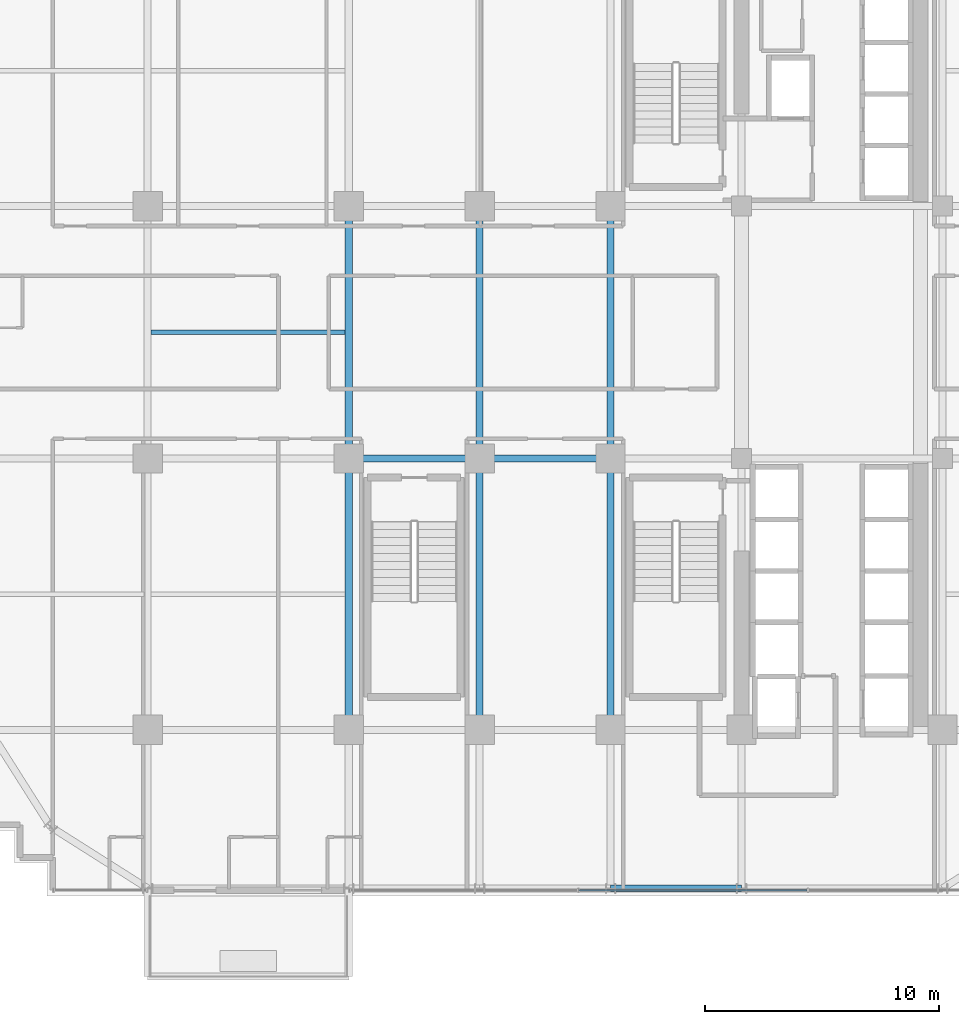
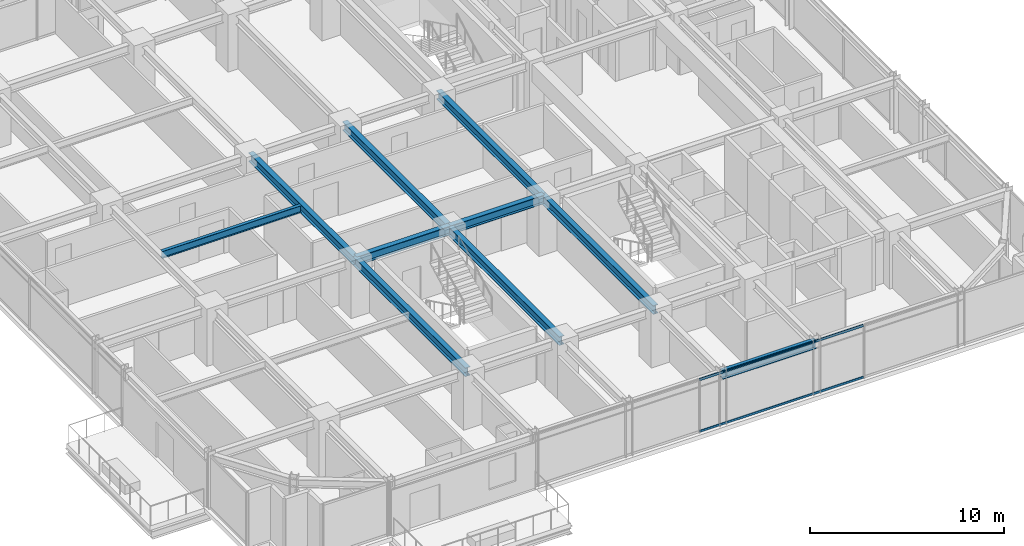
# One storey, part 10 of 32: 10 beams, 2 members, 1 element without a shape of its own.
"""IFC4 building model written with IfcOpenShell, lengths in metres."""

from ifc_helpers import new_model, si_unit, direction, frame, origin, origin_2d, place, context, subcontext, project, spatial, hollow_rectangle, i_section, extrude, source, transform, mapped, material, material_profile, profile_set, type_object, element, aggregate, save


model = new_model("IFC4")

# Units and contexts
model_context = context("Model", 3, precision=1e-05, world=origin(), true_north=direction((0.0, 1.0)))
body_context = subcontext(model_context, "Body", "Model", "MODEL_VIEW")
ifc_project = project(units=[si_unit("LENGTHUNIT", "METRE"), si_unit("AREAUNIT", "SQUARE_METRE"), si_unit("VOLUMEUNIT", "CUBIC_METRE"), si_unit("PLANEANGLEUNIT", "RADIAN"), si_unit("MASSUNIT", "GRAM", prefix="KILO")], contexts=[model_context])

# Site, building, storey
site_placement = place(None, origin())
site = spatial("IfcSite", under=ifc_project, at=site_placement, CompositionType="ELEMENT")
building_placement = place(site_placement, origin())
building = spatial("IfcBuilding", under=site, at=building_placement, Name="Nahalor Promenade Grand Hotel", CompositionType="ELEMENT")
storey_placement = place(building_placement, frame((0.0, 0.0, 124.800048828125)))
storey = spatial("IfcBuildingStorey", under=building, at=storey_placement, Name="L31", CompositionType="ELEMENT", Elevation=124.800048828125)

# Beams
ifc_material_1 = material(Name="Steel S355JR", Category="steel")
ifc_material_profile_1 = material_profile(ifc_material_1, i_section(OverallWidth=0.3, OverallDepth=0.5, WebThickness=0.0145, FlangeThickness=0.028, at=origin_2d()), Name="HEB 500")
ifc_profile_set_1 = profile_set([ifc_material_profile_1], Name="Steel S355JR")
beam_type_1 = type_object("IfcBeamType", Name="Beam-Spandrel-HEB500", PredefinedType="SPANDREL", material=ifc_profile_set_1)
shared_shape_1 = source(origin(), body_context, "Body", "SweptSolid", [
    extrude(i_section(OverallWidth=0.3, OverallDepth=0.5, WebThickness=0.0145, FlangeThickness=0.028, at=origin_2d()), origin(), (0.0, 0.0, 1.0), 5.599853515625),
])
beam_1_placement = place(storey_placement, frame((2.800048828125, -23.780029296875, 3.1298828125), z_axis=(1.0, 0.0, 0.0), x_axis=(0.0, 1.0, 0.0)))
element("IfcBeam", 1, at=beam_1_placement, inside=storey, type_object=beam_type_1, Name="BM-L31-SP-S-3", PredefinedType="SPANDREL", context=body_context, shape_type="MappedRepresentation", body=[
    mapped(shared_shape_1, transform((0.0, 0.0, 0.0), scale=1.0)),
])
ifc_material_profile_2 = material_profile(ifc_material_1, i_section(OverallWidth=0.3, OverallDepth=0.55, WebThickness=0.015, FlangeThickness=0.029, at=origin_2d()), Name="HEB 550")
ifc_profile_set_2 = profile_set([ifc_material_profile_2], Name="Steel S355JR")
beam_type_2 = type_object("IfcBeamType", Name="Beam-Girder-HEB550", PredefinedType="BEAM", material=ifc_profile_set_2)
shared_shape_2 = source(origin(), body_context, "Body", "SweptSolid", [
    extrude(i_section(OverallWidth=0.3, OverallDepth=0.55, WebThickness=0.015, FlangeThickness=0.029, at=origin_2d()), origin(), (0.0, 0.0, 1.0), 5.599853515625),
])
beam_2_placement = place(storey_placement, frame((-8.39990234375, -5.39990234375, 3.10498046875), z_axis=(1.0, 0.0, 0.0), x_axis=(0.0, 1.0, 0.0)))
element("IfcBeam", 2, at=beam_2_placement, inside=storey, type_object=beam_type_2, Name="BM-L31-GX-1-2", PredefinedType="BEAM", context=body_context, shape_type="MappedRepresentation", body=[
    mapped(shared_shape_2, transform((0.0, 0.0, 0.0), scale=1.0)),
])
shared_shape_3 = source(origin(), body_context, "Body", "SweptSolid", [
    extrude(i_section(OverallWidth=0.3, OverallDepth=0.55, WebThickness=0.015, FlangeThickness=0.029, at=origin_2d()), origin(), (0.0, 0.0, 1.0), 5.60009765625),
])
beam_3_placement = place(storey_placement, frame((-2.800048828125, -5.39990234375, 3.10498046875), z_axis=(1.0, 0.0, 0.0), x_axis=(0.0, 1.0, 0.0)))
element("IfcBeam", 3, at=beam_3_placement, inside=storey, type_object=beam_type_2, Name="BM-L31-GX-1-3", PredefinedType="BEAM", context=body_context, shape_type="MappedRepresentation", body=[
    mapped(shared_shape_3, transform((0.0, 0.0, 0.0), scale=1.0)),
])
shared_shape_4 = source(origin(), body_context, "Body", "SweptSolid", [
    extrude(i_section(OverallWidth=0.3, OverallDepth=0.55, WebThickness=0.015, FlangeThickness=0.029, at=origin_2d()), origin(), (0.0, 0.0, 1.0), 11.60009765625),
])
for number, where, z_axis, x_axis, name in (
    (4, (-8.39990234375, -17.0, 3.10498046875), (0.0, 1.0, 0.0), (-1.0, 0.0, 0.0), "BM-L31-GY-1-1"),
    (5, (-2.800048828125, -17.0, 3.10498046875), (0.0, 1.0, 0.0), (-1.0, 0.0, 0.0), "BM-L31-GY-2-1"),
    (6, (2.800048828125, -17.0, 3.10498046875), (0.0, 1.0, 0.0), (-1.0, 0.0, 0.0), "BM-L31-GY-3-1"),
):
    element("IfcBeam", number, at=place(storey_placement, frame(where, z_axis=z_axis, x_axis=x_axis)), inside=storey, type_object=beam_type_2, Name=name, PredefinedType="BEAM", context=body_context, shape_type="MappedRepresentation", body=[
        mapped(shared_shape_4, transform((0.0, 0.0, 0.0), scale=1.0)),
    ])
shared_shape_5 = source(origin(), body_context, "Body", "SweptSolid", [
    extrude(i_section(OverallWidth=0.3, OverallDepth=0.55, WebThickness=0.015, FlangeThickness=0.029, at=origin_2d()), origin(), (0.0, 0.0, 1.0), 10.7998046875),
])
for number, where, z_axis, x_axis, name in (
    (7, (-8.39990234375, -5.39990234375, 3.10498046875), (0.0, 1.0, 0.0), (-1.0, 0.0, 0.0), "BM-L31-GY-1-2"),
    (8, (-2.800048828125, -5.39990234375, 3.10498046875), (0.0, 1.0, 0.0), (-1.0, 0.0, 0.0), "BM-L31-GY-2-2"),
    (9, (2.800048828125, -5.39990234375, 3.10498046875), (0.0, 1.0, 0.0), (-1.0, 0.0, 0.0), "BM-L31-GY-3-2"),
):
    element("IfcBeam", number, at=place(storey_placement, frame(where, z_axis=z_axis, x_axis=x_axis)), inside=storey, type_object=beam_type_2, Name=name, PredefinedType="BEAM", context=body_context, shape_type="MappedRepresentation", body=[
        mapped(shared_shape_5, transform((0.0, 0.0, 0.0), scale=1.0)),
    ])
ifc_material_profile_3 = material_profile(ifc_material_1, i_section(OverallWidth=0.19, OverallDepth=0.45, WebThickness=0.0094, FlangeThickness=0.0146, at=origin_2d()), Name="IPE 450")
ifc_profile_set_3 = profile_set([ifc_material_profile_3], Name="Steel S355JR")
beam_type_3 = type_object("IfcBeamType", Name="Beam-Joist-IPE450", PredefinedType="JOIST", material=ifc_profile_set_3)
shared_shape_6 = source(origin(), body_context, "Body", "SweptSolid", [
    extrude(i_section(OverallWidth=0.19, OverallDepth=0.45, WebThickness=0.0094, FlangeThickness=0.0146, at=origin_2d()), origin(), (0.0, 0.0, 1.0), 8.300048828125),
])
beam_4_placement = place(storey_placement, frame((-16.85009765625, 0.0, 3.155029296875), z_axis=(1.0, 0.0, 0.0), x_axis=(0.0, 1.0, 0.0)))
element("IfcBeam", 10, at=beam_4_placement, inside=storey, type_object=beam_type_3, Name="BM-L31-JSC-0", PredefinedType="JOIST", context=body_context, shape_type="MappedRepresentation", body=[
    mapped(shared_shape_6, transform((0.0, 0.0, 0.0), scale=1.0)),
])

# Curtain wall, members
ifc_material_2 = material(Name="Anodised Bronze Aluminium EN AW-6063 T6", Category="aluminium")
curtain_wall_type = type_object("IfcCurtainWallType", Name="CW2 Typical Hotel Flush Bronze Unitised Curtain Wall", PredefinedType="USERDEFINED", material=ifc_material_2)
curtain_wall_placement = place(storey_placement, origin())
curtain_wall = element("IfcCurtainWall", 11, at=curtain_wall_placement, inside=storey, type_object=curtain_wall_type, Name="L31 Curtain Wall CW-L31-S-3", ObjectType="UNITISED_CURTAIN_WALL", PredefinedType="USERDEFINED")
ifc_material_profile_4 = material_profile(ifc_material_2, hollow_rectangle(XDim=0.065, YDim=0.13, WallThickness=0.004, at=origin_2d()), Name="CWT 65x130x4")
ifc_profile_set_4 = profile_set([ifc_material_profile_4], Name="Anodised Bronze Aluminium EN AW-6063 T6")
member_type = type_object("IfcMemberType", Name="CWT2 Typical Bronze Transom 65x130", PredefinedType="USERDEFINED", material=ifc_profile_set_4)
shared_shape_7 = source(origin(), body_context, "Body", "SweptSolid", [
    extrude(hollow_rectangle(XDim=0.065, YDim=0.13, WallThickness=0.004, at=origin_2d()), origin(), (0.0, 0.0, 1.0), 9.755126953125),
])
member_1_placement = place(storey_placement, frame((1.452392578125, -23.860107421875, 0.06494140625), z_axis=(1.0, 0.0, 0.0), x_axis=(0.0, 1.0, 0.0)))
member_1 = element("IfcMember", 12, at=member_1_placement, type_object=member_type, Name="CW-L31-S-3 Transom 1-0", ObjectType="TRANSOM", PredefinedType="USERDEFINED", context=body_context, shape_type="MappedRepresentation", body=[
    mapped(shared_shape_7, transform((0.0, 0.0, 0.0), scale=1.0)),
])
member_2_placement = place(storey_placement, frame((1.452392578125, -23.860107421875, 3.31494140625), z_axis=(1.0, 0.0, 0.0), x_axis=(0.0, 1.0, 0.0)))
member_2 = element("IfcMember", 13, at=member_2_placement, type_object=member_type, Name="CW-L31-S-3 Transom 1-1", ObjectType="TRANSOM", PredefinedType="USERDEFINED", context=body_context, shape_type="MappedRepresentation", body=[
    mapped(shared_shape_7, transform((0.0, 0.0, 0.0), scale=1.0)),
])
aggregate(curtain_wall, [member_1, member_2])

save(model, "model.ifc")
